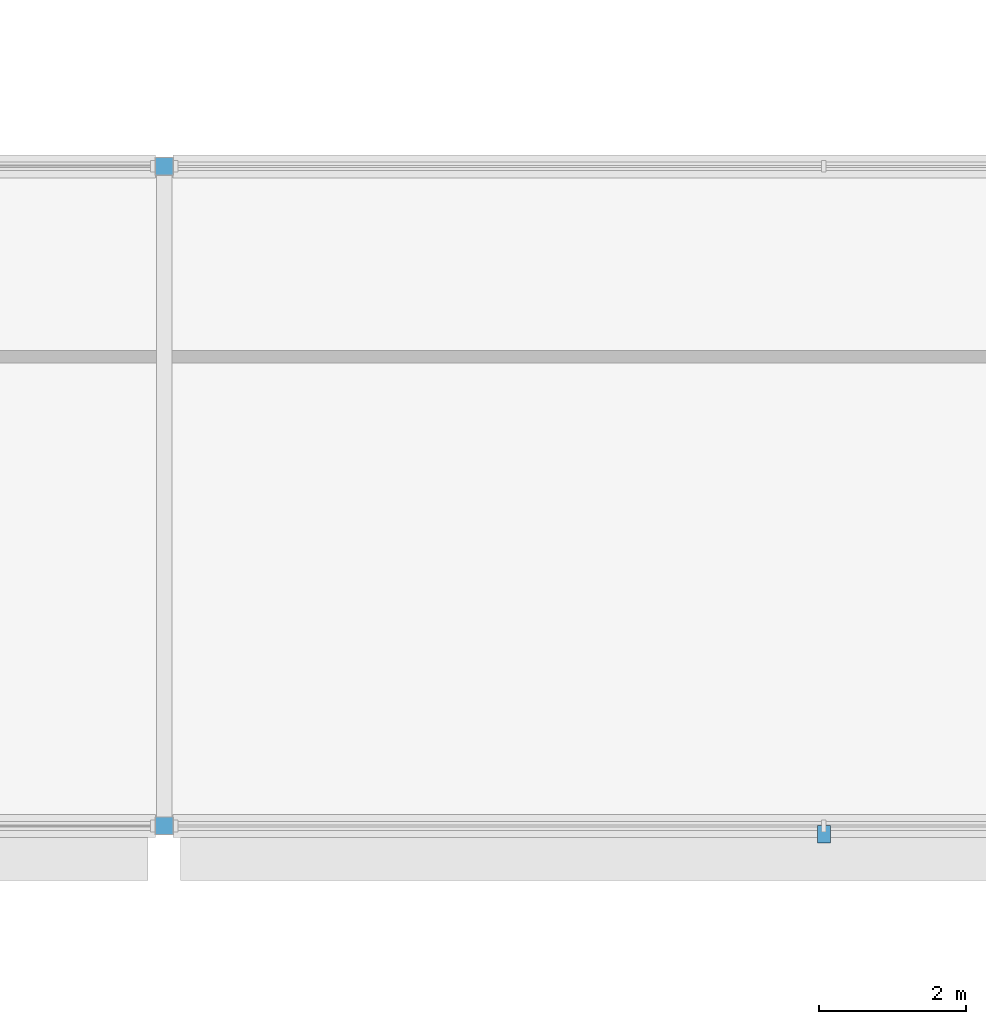
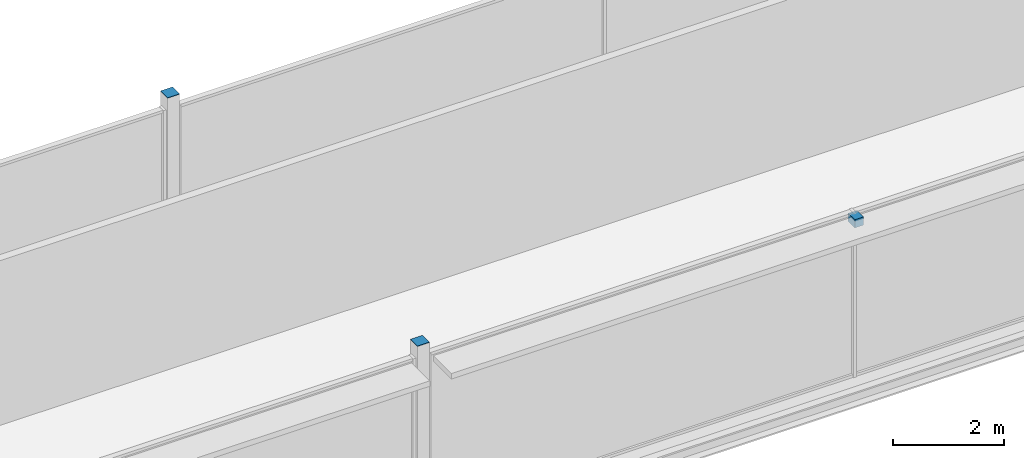
# One storey, part 77 of 98: 3 discrete accessories.
"""IFC4 building model written with IfcOpenShell, lengths in metres."""

from ifc_helpers import new_model, si_unit, direction, frame, origin, origin_2d, place, context, subcontext, project, spatial, polyline, rectangle, outline, extrude, material, layer, layer_set, type_object, element, save


model = new_model("IFC4")

# Units and contexts
model_context = context("Model", 3, precision=1e-05, world=origin(), true_north=direction((0.0, 1.0)))
body_context = subcontext(model_context, "Body", "Model", "MODEL_VIEW")
ifc_project = project(units=[si_unit("LENGTHUNIT", "METRE"), si_unit("AREAUNIT", "SQUARE_METRE"), si_unit("VOLUMEUNIT", "CUBIC_METRE"), si_unit("PLANEANGLEUNIT", "RADIAN"), si_unit("MASSUNIT", "GRAM", prefix="KILO")], contexts=[model_context])

# Site, building, storey
site_placement = place(None, origin())
site = spatial("IfcSite", under=ifc_project, at=site_placement, CompositionType="ELEMENT")
building_placement = place(site_placement, origin())
building = spatial("IfcBuilding", under=site, at=building_placement, Name="Kisiwana Market Hall", CompositionType="ELEMENT")
storey_placement = place(building_placement, frame((0.0, 0.0, 29.39990234375)))
storey = spatial("IfcBuildingStorey", under=building, at=storey_placement, Name="L06", CompositionType="ELEMENT", Elevation=29.39990234375)

# Discrete accessories
ifc_material_1 = material(Name="Steel S355", Category="steel")
discrete_accessory_type_1 = type_object("IfcDiscreteAccessoryType", Name="ACC-BRACKET-STL", PredefinedType="BRACKET", material=ifc_material_1)
discrete_accessory_1_placement = place(storey_placement, frame((126.0, 92.889892578125, 3.41015625), z_axis=(0.0, 0.0, 1.0), x_axis=(1.0, 0.0, 0.0)))
element("IfcDiscreteAccessory", 1, at=discrete_accessory_1_placement, inside=storey, type_object=discrete_accessory_type_1, Name="Sunshade steel bracket BRK-114", PredefinedType="BRACKET", context=body_context, shape_type="SweptSolid", body=[
    extrude(rectangle(XDim=0.179931640625, YDim=0.239990234375, at=origin_2d()), origin(), (0.0, 0.0, 1.0), 0.179931640625),
])
ifc_material_2 = material(Name="Steel S355", Category="steel")
ifc_layer = layer(ifc_material_2, 0.011962890625)
ifc_layer_set = layer_set([ifc_layer], Name="ACC-ENDCAP-STL")
discrete_accessory_type_2 = type_object("IfcDiscreteAccessoryType", Name="ACC-ENDCAP-STL", PredefinedType="USERDEFINED", material=ifc_layer_set)
discrete_accessory_2_placement = place(storey_placement, frame((0.0, 0.0, 3.900146484375)))
element("IfcDiscreteAccessory", 2, at=discrete_accessory_2_placement, inside=storey, type_object=discrete_accessory_type_2, Name="End cap plate EC-0011", ObjectType="End cap plate", PredefinedType="USERDEFINED", context=body_context, shape_type="SweptSolid", body=[
    extrude(outline(polyline([(116.875, 92.875), (117.125, 92.875), (117.125, 93.125), (116.875, 93.125), (116.875, 92.875)])), origin(), (0.0, 0.0, 1.0), 0.011962890625),
])
discrete_accessory_3_placement = place(storey_placement, frame((0.0, 0.0, 3.900146484375)))
element("IfcDiscreteAccessory", 3, at=discrete_accessory_3_placement, inside=storey, type_object=discrete_accessory_type_2, Name="End cap plate EC-0012", ObjectType="End cap plate", PredefinedType="USERDEFINED", context=body_context, shape_type="SweptSolid", body=[
    extrude(outline(polyline([(116.875, 101.875), (117.125, 101.875), (117.125, 102.125), (116.875, 102.125), (116.875, 101.875)])), origin(), (0.0, 0.0, 1.0), 0.011962890625),
])

save(model, "model.ifc")
